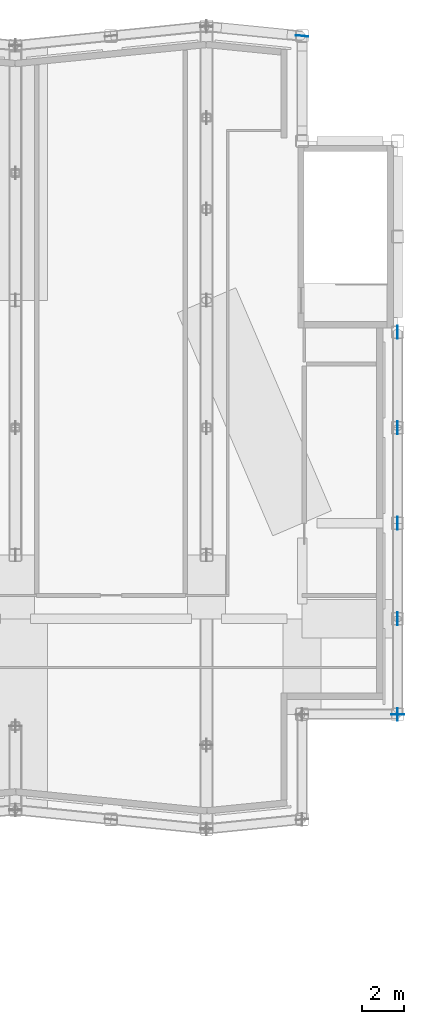
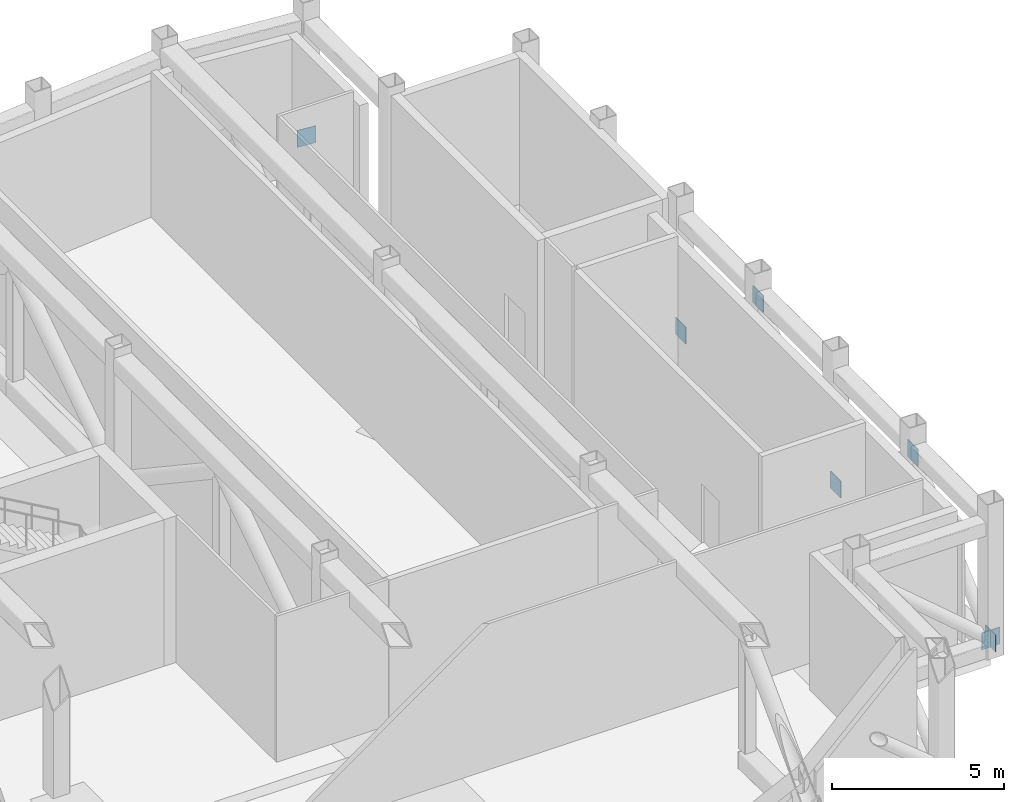
# One storey, part 18 of 22: 7 discrete accessories.
"""IFC4 building model written with IfcOpenShell, lengths in metres."""

from ifc_helpers import new_model, si_unit, direction, frame, origin, origin_2d, place, context, subcontext, project, spatial, rectangle, extrude, material, layer, layer_set, type_object, element, save


model = new_model("IFC4")

# Units and contexts
model_context = context("Model", 3, precision=1e-05, world=origin(), true_north=direction((0.0, 1.0)))
body_context = subcontext(model_context, "Body", "Model", "MODEL_VIEW")
ifc_project = project(units=[si_unit("LENGTHUNIT", "METRE"), si_unit("AREAUNIT", "SQUARE_METRE"), si_unit("VOLUMEUNIT", "CUBIC_METRE"), si_unit("PLANEANGLEUNIT", "RADIAN"), si_unit("MASSUNIT", "GRAM", prefix="KILO")], contexts=[model_context])

# Site, building, storey
site_placement = place(None, origin())
site = spatial("IfcSite", under=ifc_project, at=site_placement, CompositionType="ELEMENT")
building_placement = place(site_placement, origin())
building = spatial("IfcBuilding", under=site, at=building_placement, Name="Brondeck Convention Tower", CompositionType="ELEMENT")
storey_placement = place(building_placement, frame((0.0, 0.0, 32.0)))
storey = spatial("IfcBuildingStorey", under=building, at=storey_placement, Name="L05", CompositionType="ELEMENT", Elevation=32.0)

# Discrete accessories
ifc_material = material(Name="Steel S460", Category="steel")
ifc_layer = layer(ifc_material, 0.02490234375)
ifc_layer_set = layer_set([ifc_layer], Name="Gusset plate 600x600x25 Steel S460")
discrete_accessory_type = type_object("IfcDiscreteAccessoryType", Name="Gusset plate 600x600x25 Steel S460", PredefinedType="BRACKET", material=ifc_layer_set)
for number, where, z_axis, x_axis, name in (
    (1, (72.0, 31.5, 0.199951171875), (0.0, 0.0, 1.0), (1.0, 0.0, 0.0), "Gusset plate GP-34"),
    (2, (72.0, 31.5, 0.199951171875), (0.0, 0.0, 1.0), (0.0, 1.0, 0.0), "Gusset plate GP-35"),
    (3, (72.0, 36.0, 4.050048828125), (0.0, 0.0, 1.0), (0.0, 1.0, 0.0), "Gusset plate GP-36"),
    (4, (72.0, 40.5, 0.199951171875), (0.0, 0.0, 1.0), (0.0, 1.0, 0.0), "Gusset plate GP-37"),
    (5, (72.0, 45.0, 4.050048828125), (0.0, 0.0, 1.0), (0.0, 1.0, 0.0), "Gusset plate GP-38"),
    (6, (72.0, 49.5, 0.199951171875), (0.0, 0.0, 1.0), (0.0, 1.0, 0.0), "Gusset plate GP-39"),
    (7, (67.5, 63.449951171875, 0.199951171875), (0.0, 0.0, 1.0), (-0.9950364836, 0.099510784867, 0.0), "Gusset plate GP-40"),
):
    element("IfcDiscreteAccessory", number, at=place(storey_placement, frame(where, z_axis=z_axis, x_axis=x_axis)), inside=storey, type_object=discrete_accessory_type, Name=name, PredefinedType="BRACKET", context=body_context, shape_type="SweptSolid", body=[
        extrude(rectangle(XDim=0.60009765625, YDim=0.02490234375, at=origin_2d()), origin(), (0.0, 0.0, 1.0), 0.60009765625),
    ])

save(model, "model.ifc")
